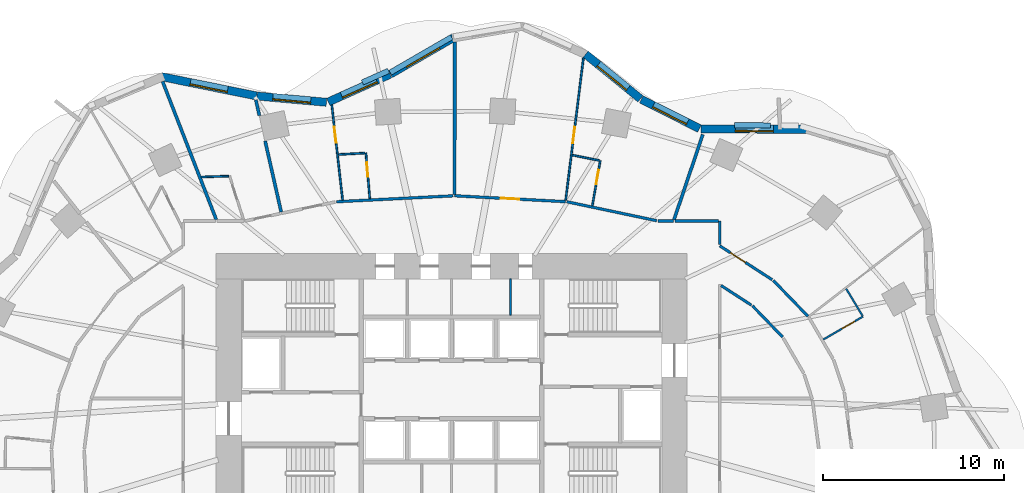
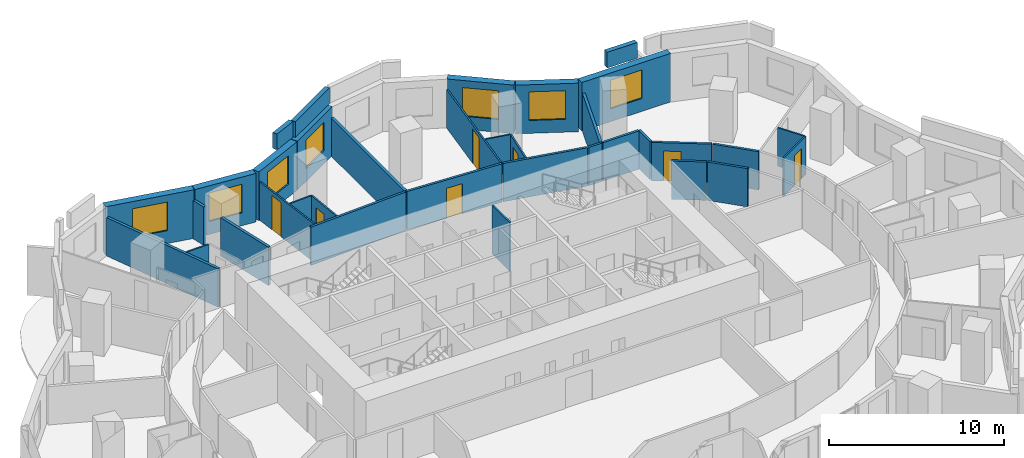
# One storey, part 10 of 14: 35 walls, 7 doors, 7 windows, 14 openings.
"""IFC4 building model written with IfcOpenShell, lengths in metres."""

from ifc_helpers import new_model, si_unit, direction, frame, frame_2d, origin, place, context, subcontext, project, spatial, rectangle, extrude, material, layer, layer_set, type_object, element, fill, save


model = new_model("IFC4")

# Units and contexts
model_context = context("Model", 3, precision=1e-05, world=origin(), true_north=direction((0.0, 1.0)))
body_context = subcontext(model_context, "Body", "Model", "MODEL_VIEW")
ifc_project = project(units=[si_unit("LENGTHUNIT", "METRE"), si_unit("AREAUNIT", "SQUARE_METRE"), si_unit("VOLUMEUNIT", "CUBIC_METRE"), si_unit("PLANEANGLEUNIT", "RADIAN"), si_unit("MASSUNIT", "GRAM", prefix="KILO")], contexts=[model_context])

# Site, building, storey
site_placement = place(None, origin())
site = spatial("IfcSite", under=ifc_project, at=site_placement, CompositionType="ELEMENT")
building_placement = place(site_placement, origin())
building = spatial("IfcBuilding", under=site, at=building_placement, Name="Rubra Terraces Tower", CompositionType="ELEMENT")
storey_placement = place(building_placement, frame((0.0, 0.0, 44.699951171875)))
storey = spatial("IfcBuildingStorey", under=building, at=storey_placement, Name="L08", CompositionType="ELEMENT", Elevation=44.699951171875)

# Walls
ifc_material_1 = material(Name="Twin plasterboard on staggered steel stud, acoustic mineral wool", Category="steel")
ifc_layer_1 = layer(ifc_material_1, 0.175048828125)
ifc_layer_set_1 = layer_set([ifc_layer_1], Name="Twin plasterboard on staggered steel stud, acoustic mineral wool")
wall_type_1 = type_object("IfcWallType", Name="ACOUSTIC PARTY WALL 175", PredefinedType="PARTITIONING", material=ifc_layer_set_1)
wall_1_placement = place(storey_placement, frame((13.86279296875, 18.57177734375, 0.0), z_axis=(0.0, 0.0, 1.0), x_axis=(-0.320254541028, -0.947331530643, 0.0)))
element("IfcWall", 1, at=wall_1_placement, inside=storey, type_object=wall_type_1, Name="PARTITION", PredefinedType="PARTITIONING", context=body_context, shape_type="SweptSolid", body=[
    extrude(rectangle(XDim=4.9619140625, YDim=0.175048828125, at=frame_2d((2.48095703125, 0.0))), origin(), (0.0, 0.0, 1.0), 2.679931640625),
])
wall_2_placement = place(storey_placement, frame((0.17919921875, 23.686767578125, 0.0), z_axis=(0.0, 0.0, 1.0), x_axis=(-0.001768574544, -0.999998436071, 0.0)))
element("IfcWall", 2, at=wall_2_placement, inside=storey, type_object=wall_type_1, Name="PARTITION", PredefinedType="PARTITIONING", context=body_context, shape_type="SweptSolid", body=[
    extrude(rectangle(XDim=8.420654296875, YDim=0.175048828125, at=frame_2d((4.21044921875, 0.0))), origin(), (0.0, 0.0, 1.0), 2.679931640625),
])
wall_3_placement = place(storey_placement, frame((-10.80029296875, 20.47900390625, 0.0), z_axis=(0.0, 0.0, 1.0), x_axis=(0.220786026072, -0.975322270171, 0.0)))
element("IfcWall", 3, at=wall_3_placement, inside=storey, type_object=wall_type_1, Name="PARTITION", PredefinedType="PARTITIONING", context=body_context, shape_type="SweptSolid", body=[
    extrude(rectangle(XDim=0.884521484375, YDim=0.175048828125, at=frame_2d((0.4423828125, 0.0))), origin(), (0.0, 0.0, 1.0), 2.679931640625),
])
wall_4_placement = place(storey_placement, frame((-10.28759765625, 18.21142578125, 0.0), z_axis=(0.0, 0.0, 1.0), x_axis=(0.220522195693, -0.975381956572, 0.0)))
element("IfcWall", 4, at=wall_4_placement, inside=storey, type_object=wall_type_1, Name="PARTITION", PredefinedType="PARTITIONING", context=body_context, shape_type="SweptSolid", body=[
    extrude(rectangle(XDim=4.014404296875, YDim=0.175048828125, at=frame_2d((2.00732421875, 0.0))), origin(), (0.0, 0.0, 1.0), 2.679931640625),
])
wall_5_placement = place(storey_placement, frame((-15.948486328125, 21.502197265625, 0.0), z_axis=(0.0, 0.0, 1.0), x_axis=(0.362227551465, -0.932089695769, 0.0)))
element("IfcWall", 5, at=wall_5_placement, inside=storey, type_object=wall_type_1, Name="PARTITION", PredefinedType="PARTITIONING", context=body_context, shape_type="SweptSolid", body=[
    extrude(rectangle(XDim=8.1884765625, YDim=0.175048828125, at=frame_2d((4.09423828125, 0.0))), origin(), (0.0, 0.0, 1.0), 2.679931640625),
])

# Wall, opening, window
ifc_material_2 = material(Name="Brick masonry red-brown", Category="masonry")
ifc_layer_2 = layer(ifc_material_2, 0.449951171875)
ifc_layer_set_2 = layer_set([ifc_layer_2], Name="Brick masonry red-brown")
wall_type_2 = type_object("IfcWallType", Name="Brick facade wall 450", PredefinedType="SOLIDWALL", material=ifc_layer_set_2)
wall_6_placement = place(storey_placement, frame((19.650390625, 18.85693359375, 0.0), z_axis=(0.0, 0.0, 1.0), x_axis=(-0.999994750773, 0.003240127552, 0.0)))
wall_6 = element("IfcWall", 6, at=wall_6_placement, inside=storey, type_object=wall_type_2, Name="Facade wall L08 bay 6", PredefinedType="SOLIDWALL", context=body_context, shape_type="SweptSolid", body=[
    extrude(rectangle(XDim=5.877197265625, YDim=0.449951171875, at=frame_2d((2.9384765625, 0.0))), origin(), (0.0, 0.0, 1.0), 3.400146484375),
])
opening_1_placement = place(wall_6_placement, frame((1.888671875, 0.0, 0.89990234375)))
opening_1 = element("IfcOpeningElement", 7, at=opening_1_placement, cuts=wall_6, Name="Opening W1", PredefinedType="OPENING", context=body_context, shape_type="SweptSolid", body=[
    extrude(rectangle(XDim=2.10009765625, YDim=2.0, at=frame_2d((1.050048828125, 1.0))), frame((0.0, 0.23486328125, 0.0), z_axis=(0.0, -1.0, 0.0), x_axis=(1.0, 0.0, 0.0)), (0.0, 0.0, 1.0), 0.469970703125),
])
ifc_material_3 = material(Name="Clear glass in aluminium frame", Category="aluminium")
window_type = type_object("IfcWindowType", Name="Fixed deep-set window 2100 x 2000", PartitioningType="SINGLE_PANEL", PredefinedType="WINDOW", material=ifc_material_3)
window_1_placement = place(opening_1_placement, origin())
window_1 = element("IfcWindow", 8, at=window_1_placement, inside=storey, type_object=window_type, Name="Window L08 bay 6", OverallHeight=2.0, OverallWidth=2.10009765625, PartitioningType="SINGLE_PANEL", PredefinedType="WINDOW", context=body_context, shape_type="SweptSolid", body=[
    extrude(rectangle(XDim=2.10009765625, YDim=2.0, at=frame_2d((1.050048828125, 1.0))), frame((0.0, 0.135009765625, 0.0), z_axis=(0.0, -1.0, 0.0), x_axis=(1.0, 0.0, 0.0)), (0.0, 0.0, 1.0), 0.06005859375),
])
fill(opening_1, window_1)

wall_7_placement = place(storey_placement, frame((13.6787109375, 18.897216796875, 0.0), z_axis=(0.0, 0.0, 1.0), x_axis=(-0.893502471356, 0.449058274259, 0.0)))
wall_7 = element("IfcWall", 9, at=wall_7_placement, inside=storey, type_object=wall_type_2, Name="Facade wall L08 bay 7", PredefinedType="SOLIDWALL", context=body_context, shape_type="SweptSolid", body=[
    extrude(rectangle(XDim=3.59814453125, YDim=0.449951171875, at=frame_2d((1.799072265625, 0.0))), origin(), (0.0, 0.0, 1.0), 3.400146484375),
])
opening_2_placement = place(wall_7_placement, frame((0.748779296875, 0.0, 0.89990234375)))
opening_2 = element("IfcOpeningElement", 10, at=opening_2_placement, cuts=wall_7, Name="Opening W1", PredefinedType="OPENING", context=body_context, shape_type="SweptSolid", body=[
    extrude(rectangle(XDim=2.10009765625, YDim=2.0, at=frame_2d((1.050048828125, 1.0))), frame((0.0, 0.23486328125, 0.0), z_axis=(0.0, -1.0, 0.0), x_axis=(1.0, 0.0, 0.0)), (0.0, 0.0, 1.0), 0.469970703125),
])
window_2_placement = place(opening_2_placement, origin())
window_2 = element("IfcWindow", 11, at=window_2_placement, inside=storey, type_object=window_type, Name="Window L08 bay 7", OverallHeight=2.0, OverallWidth=2.10009765625, PartitioningType="SINGLE_PANEL", PredefinedType="WINDOW", context=body_context, shape_type="SweptSolid", body=[
    extrude(rectangle(XDim=2.10009765625, YDim=2.0, at=frame_2d((1.050048828125, 1.0))), frame((0.0, 0.135009765625, 0.0), z_axis=(0.0, -1.0, 0.0), x_axis=(1.0, 0.0, 0.0)), (0.0, 0.0, 1.0), 0.06005859375),
])
fill(opening_2, window_2)

wall_8_placement = place(storey_placement, frame((10.421875, 20.53857421875, 0.0), z_axis=(0.0, 0.0, 1.0), x_axis=(-0.775999170522, 0.63073392754, 0.0)))
wall_8 = element("IfcWall", 12, at=wall_8_placement, inside=storey, type_object=wall_type_2, Name="Facade wall L08 bay 8", PredefinedType="SOLIDWALL", context=body_context, shape_type="SweptSolid", body=[
    extrude(rectangle(XDim=3.902587890625, YDim=0.449951171875, at=frame_2d((1.951171875, 0.0))), origin(), (0.0, 0.0, 1.0), 3.400146484375),
])
opening_3_placement = place(wall_8_placement, frame((0.901123046875, 0.0, 0.89990234375)))
opening_3 = element("IfcOpeningElement", 13, at=opening_3_placement, cuts=wall_8, Name="Opening W1", PredefinedType="OPENING", context=body_context, shape_type="SweptSolid", body=[
    extrude(rectangle(XDim=2.10009765625, YDim=2.0, at=frame_2d((1.050048828125, 1.0))), frame((0.0, 0.23486328125, 0.0), z_axis=(0.0, -1.0, 0.0), x_axis=(1.0, 0.0, 0.0)), (0.0, 0.0, 1.0), 0.469970703125),
])
window_3_placement = place(opening_3_placement, origin())
window_3 = element("IfcWindow", 14, at=window_3_placement, inside=storey, type_object=window_type, Name="Window L08 bay 8", OverallHeight=2.0, OverallWidth=2.10009765625, PartitioningType="SINGLE_PANEL", PredefinedType="WINDOW", context=body_context, shape_type="SweptSolid", body=[
    extrude(rectangle(XDim=2.10009765625, YDim=2.0, at=frame_2d((1.050048828125, 1.0))), frame((0.0, 0.135009765625, 0.0), z_axis=(0.0, -1.0, 0.0), x_axis=(1.0, 0.0, 0.0)), (0.0, 0.0, 1.0), 0.06005859375),
])
fill(opening_3, window_3)

wall_9_placement = place(storey_placement, frame((0.109375, 23.92041015625, 0.0), z_axis=(0.0, 0.0, 1.0), x_axis=(-0.865557769603, -0.500809092848, 0.0)))
wall_9 = element("IfcWall", 15, at=wall_9_placement, inside=storey, type_object=wall_type_2, Name="Facade wall L08 bay 11", PredefinedType="SOLIDWALL", context=body_context, shape_type="SweptSolid", body=[
    extrude(rectangle(XDim=4.024658203125, YDim=0.449951171875, at=frame_2d((2.01220703125, 0.0))), origin(), (0.0, 0.0, 1.0), 3.400146484375),
])
opening_4_placement = place(wall_9_placement, frame((0.96240234375, 0.0, 0.89990234375)))
opening_4 = element("IfcOpeningElement", 16, at=opening_4_placement, cuts=wall_9, Name="Opening W1", PredefinedType="OPENING", context=body_context, shape_type="SweptSolid", body=[
    extrude(rectangle(XDim=2.10009765625, YDim=2.0, at=frame_2d((1.050048828125, 1.0))), frame((0.0, 0.23486328125, 0.0), z_axis=(0.0, -1.0, 0.0), x_axis=(1.0, 0.0, 0.0)), (0.0, 0.0, 1.0), 0.469970703125),
])
window_4_placement = place(opening_4_placement, origin())
window_4 = element("IfcWindow", 17, at=window_4_placement, inside=storey, type_object=window_type, Name="Window L08 bay 11", OverallHeight=2.0, OverallWidth=2.10009765625, PartitioningType="SINGLE_PANEL", PredefinedType="WINDOW", context=body_context, shape_type="SweptSolid", body=[
    extrude(rectangle(XDim=2.10009765625, YDim=2.0, at=frame_2d((1.050048828125, 1.0))), frame((0.0, 0.135009765625, 0.0), z_axis=(0.0, -1.0, 0.0), x_axis=(1.0, 0.0, 0.0)), (0.0, 0.0, 1.0), 0.06005859375),
])
fill(opening_4, window_4)

wall_10_placement = place(storey_placement, frame((-3.395263671875, 21.894287109375, 0.0), z_axis=(0.0, 0.0, 1.0), x_axis=(-0.912496703183, -0.409084058208, 0.0)))
wall_10 = element("IfcWall", 18, at=wall_10_placement, inside=storey, type_object=wall_type_2, Name="Facade wall L08 bay 12", PredefinedType="SOLIDWALL", context=body_context, shape_type="SweptSolid", body=[
    extrude(rectangle(XDim=3.73486328125, YDim=0.449951171875, at=frame_2d((1.867431640625, 0.0))), origin(), (0.0, 0.0, 1.0), 3.400146484375),
])
opening_5_placement = place(wall_10_placement, frame((0.8173828125, 0.0, 0.89990234375)))
opening_5 = element("IfcOpeningElement", 19, at=opening_5_placement, cuts=wall_10, Name="Opening W1", PredefinedType="OPENING", context=body_context, shape_type="SweptSolid", body=[
    extrude(rectangle(XDim=2.10009765625, YDim=2.0, at=frame_2d((1.050048828125, 1.0))), frame((0.0, 0.23486328125, 0.0), z_axis=(0.0, -1.0, 0.0), x_axis=(1.0, 0.0, 0.0)), (0.0, 0.0, 1.0), 0.469970703125),
])
window_5_placement = place(opening_5_placement, origin())
window_5 = element("IfcWindow", 20, at=window_5_placement, inside=storey, type_object=window_type, Name="Window L08 bay 12", OverallHeight=2.0, OverallWidth=2.10009765625, PartitioningType="SINGLE_PANEL", PredefinedType="WINDOW", context=body_context, shape_type="SweptSolid", body=[
    extrude(rectangle(XDim=2.10009765625, YDim=2.0, at=frame_2d((1.050048828125, 1.0))), frame((0.0, 0.135009765625, 0.0), z_axis=(0.0, -1.0, 0.0), x_axis=(1.0, 0.0, 0.0)), (0.0, 0.0, 1.0), 0.06005859375),
])
fill(opening_5, window_5)

wall_11_placement = place(storey_placement, frame((-6.905517578125, 20.348876953125, 0.0), z_axis=(0.0, 0.0, 1.0), x_axis=(-0.995947174038, 0.089940127451, 0.0)))
wall_11 = element("IfcWall", 21, at=wall_11_placement, inside=storey, type_object=wall_type_2, Name="Facade wall L08 bay 13", PredefinedType="SOLIDWALL", context=body_context, shape_type="SweptSolid", body=[
    extrude(rectangle(XDim=3.84375, YDim=0.449951171875, at=frame_2d((1.921875, 0.0))), origin(), (0.0, 0.0, 1.0), 3.400146484375),
])
opening_6_placement = place(wall_11_placement, frame((0.871826171875, 0.0, 0.89990234375)))
opening_6 = element("IfcOpeningElement", 22, at=opening_6_placement, cuts=wall_11, Name="Opening W1", PredefinedType="OPENING", context=body_context, shape_type="SweptSolid", body=[
    extrude(rectangle(XDim=2.10009765625, YDim=2.0, at=frame_2d((1.050048828125, 1.0))), frame((0.0, 0.23486328125, 0.0), z_axis=(0.0, -1.0, 0.0), x_axis=(1.0, 0.0, 0.0)), (0.0, 0.0, 1.0), 0.469970703125),
])
window_6_placement = place(opening_6_placement, origin())
window_6 = element("IfcWindow", 23, at=window_6_placement, inside=storey, type_object=window_type, Name="Window L08 bay 13", OverallHeight=2.0, OverallWidth=2.10009765625, PartitioningType="SINGLE_PANEL", PredefinedType="WINDOW", context=body_context, shape_type="SweptSolid", body=[
    extrude(rectangle(XDim=2.10009765625, YDim=2.0, at=frame_2d((1.050048828125, 1.0))), frame((0.0, 0.135009765625, 0.0), z_axis=(0.0, -1.0, 0.0), x_axis=(1.0, 0.0, 0.0)), (0.0, 0.0, 1.0), 0.06005859375),
])
fill(opening_6, window_6)

wall_12_placement = place(storey_placement, frame((-10.760009765625, 20.697998046875, 0.0), z_axis=(0.0, 0.0, 1.0), x_axis=(-0.980072890434, 0.198638187256, 0.0)))
wall_12 = element("IfcWall", 24, at=wall_12_placement, inside=storey, type_object=wall_type_2, Name="Facade wall L08 bay 14", PredefinedType="SOLIDWALL", context=body_context, shape_type="SweptSolid", body=[
    extrude(rectangle(XDim=5.35986328125, YDim=0.449951171875, at=frame_2d((2.679931640625, 0.0))), origin(), (0.0, 0.0, 1.0), 3.400146484375),
])
opening_7_placement = place(wall_12_placement, frame((1.630126953125, 0.0, 0.89990234375)))
opening_7 = element("IfcOpeningElement", 25, at=opening_7_placement, cuts=wall_12, Name="Opening W1", PredefinedType="OPENING", context=body_context, shape_type="SweptSolid", body=[
    extrude(rectangle(XDim=2.10009765625, YDim=2.0, at=frame_2d((1.050048828125, 1.0))), frame((0.0, 0.23486328125, 0.0), z_axis=(0.0, -1.0, 0.0), x_axis=(1.0, 0.0, 0.0)), (0.0, 0.0, 1.0), 0.469970703125),
])
window_7_placement = place(opening_7_placement, origin())
window_7 = element("IfcWindow", 26, at=window_7_placement, inside=storey, type_object=window_type, Name="Window L08 bay 14", OverallHeight=2.0, OverallWidth=2.10009765625, PartitioningType="SINGLE_PANEL", PredefinedType="WINDOW", context=body_context, shape_type="SweptSolid", body=[
    extrude(rectangle(XDim=2.10009765625, YDim=2.0, at=frame_2d((1.050048828125, 1.0))), frame((0.0, 0.135009765625, 0.0), z_axis=(0.0, -1.0, 0.0), x_axis=(1.0, 0.0, 0.0)), (0.0, 0.0, 1.0), 0.06005859375),
])
fill(opening_7, window_7)

# Walls
ifc_layer_3 = layer(ifc_material_2, 0.300048828125)
ifc_layer_set_3 = layer_set([ifc_layer_3], Name="Brick masonry red-brown")
wall_type_3 = type_object("IfcWallType", Name="Brick parapet 300", PredefinedType="PARAPET", material=ifc_layer_set_3)
wall_13_placement = place(storey_placement, frame((17.596435546875, 19.069091796875, 3.60009765625), z_axis=(0.0, 0.0, 1.0), x_axis=(-0.999994488127, 0.003320198128, 0.0)))
element("IfcWall", 27, at=wall_13_placement, inside=storey, type_object=wall_type_3, Name="Parapet L08 bay 6.2", PredefinedType="PARAPET", context=body_context, shape_type="SweptSolid", body=[
    extrude(rectangle(XDim=1.9853515625, YDim=0.300048828125, at=frame_2d((0.99267578125, 0.0))), origin(), (0.0, 0.0, 1.0), 1.099853515625),
])
wall_14_placement = place(storey_placement, frame((0.002197265625, 23.945068359375, 3.60009765625), z_axis=(0.0, 0.0, 1.0), x_axis=(-0.865550152763, -0.500822256945, 0.0)))
element("IfcWall", 28, at=wall_14_placement, inside=storey, type_object=wall_type_3, Name="Parapet L08 bay 11", PredefinedType="PARAPET", context=body_context, shape_type="SweptSolid", body=[
    extrude(rectangle(XDim=3.91259765625, YDim=0.300048828125, at=frame_2d((1.956298828125, 0.0))), origin(), (0.0, 0.0, 1.0), 1.099853515625),
])
wall_15_placement = place(storey_placement, frame((-3.4775390625, 22.0869140625, 3.60009765625), z_axis=(0.0, 0.0, 1.0), x_axis=(-0.91246752391, -0.409149138835, 0.0)))
element("IfcWall", 29, at=wall_15_placement, inside=storey, type_object=wall_type_3, Name="Parapet L08 bay 12", PredefinedType="PARAPET", context=body_context, shape_type="SweptSolid", body=[
    extrude(rectangle(XDim=1.578857421875, YDim=0.300048828125, at=frame_2d((0.78955078125, 0.0))), origin(), (0.0, 0.0, 1.0), 1.099853515625),
])
ifc_material_4 = material(Name="Plasterboard on steel stud, mineral wool infill", Category="steel")
ifc_layer_4 = layer(ifc_material_4, 0.14990234375)
ifc_layer_set_4 = layer_set([ifc_layer_4], Name="Plasterboard on steel stud, mineral wool infill")
wall_type_4 = type_object("IfcWallType", Name="CORRIDOR PARTITION 150", PredefinedType="PARTITIONING", material=ifc_layer_set_4)
wall_16_placement = place(storey_placement, frame((12.24951171875, 13.800048828125, 0.0), z_axis=(0.0, 0.0, 1.0), x_axis=(-1.0, 0.0, 0.0)))
element("IfcWall", 30, at=wall_16_placement, inside=storey, type_object=wall_type_4, Name="PARTITION", PredefinedType="PARTITIONING", context=body_context, shape_type="SweptSolid", body=[
    extrude(rectangle(XDim=0.860107421875, YDim=0.14990234375, at=frame_2d((0.43017578125, 0.0))), origin(), (0.0, 0.0, 1.0), 2.679931640625),
])
wall_17_placement = place(storey_placement, frame((11.31591796875, 13.8154296875, 0.0), z_axis=(0.0, 0.0, 1.0), x_axis=(-0.978460774853, 0.206432827025, 0.0)))
element("IfcWall", 31, at=wall_17_placement, inside=storey, type_object=wall_type_4, Name="PARTITION", PredefinedType="PARTITIONING", context=body_context, shape_type="SweptSolid", body=[
    extrude(rectangle(XDim=5.06884765625, YDim=0.14990234375, at=frame_2d((2.534423828125, 0.0))), origin(), (0.0, 0.0, 1.0), 2.679931640625),
])

# Wall, opening, door
wall_18_placement = place(storey_placement, frame((6.281494140625, 14.86572265625, 0.0), z_axis=(0.0, 0.0, 1.0), x_axis=(-0.998587832803, 0.053125701673, 0.0)))
wall_18 = element("IfcWall", 32, at=wall_18_placement, inside=storey, type_object=wall_type_4, Name="PARTITION", PredefinedType="PARTITIONING", context=body_context, shape_type="SweptSolid", body=[
    extrude(rectangle(XDim=6.125732421875, YDim=0.14990234375, at=frame_2d((3.06298828125, 0.0))), origin(), (0.0, 0.0, 1.0), 2.679931640625),
])
opening_8_placement = place(wall_18_placement, frame((2.56103515625, 0.0, 0.0)))
opening_8 = element("IfcOpeningElement", 33, at=opening_8_placement, cuts=wall_18, Name="Opening 08-103", PredefinedType="OPENING", context=body_context, shape_type="SweptSolid", body=[
    extrude(rectangle(XDim=1.0, YDim=2.10009765625, at=frame_2d((0.5, 1.050048828125))), frame((0.0, 0.0849609375, 0.0), z_axis=(0.0, -1.0, 0.0), x_axis=(1.0, 0.0, 0.0)), (0.0, 0.0, 1.0), 0.169921875),
])
ifc_material_5 = material(Name="Painted timber door leaf", Category="wood")
door_type_1 = type_object("IfcDoorType", Name="ROOM DOOR 1000 X 2100", OperationType="SINGLE_SWING_LEFT", PredefinedType="DOOR", material=ifc_material_5)
door_1_placement = place(opening_8_placement, origin())
door_1 = element("IfcDoor", 34, at=door_1_placement, inside=storey, type_object=door_type_1, Name="DOOR 08-103", OperationType="SINGLE_SWING_RIGHT", OverallHeight=2.10009765625, OverallWidth=1.0, PredefinedType="DOOR", context=body_context, shape_type="SweptSolid", body=[
    extrude(rectangle(XDim=1.0, YDim=2.10009765625, at=frame_2d((0.5, 1.050048828125))), frame((0.0, 0.02490234375, 0.0), z_axis=(0.0, -1.0, 0.0), x_axis=(1.0, 0.0, 0.0)), (0.0, 0.0, 1.0), 0.050048828125),
])
fill(opening_8, door_1)

# Walls
wall_19_placement = place(storey_placement, frame((0.08935546875, 15.1875, 0.0), z_axis=(0.0, 0.0, 1.0), x_axis=(-0.998725880164, -0.050464009853, 0.0)))
element("IfcWall", 35, at=wall_19_placement, inside=storey, type_object=wall_type_4, Name="PARTITION", PredefinedType="PARTITIONING", context=body_context, shape_type="SweptSolid", body=[
    extrude(rectangle(XDim=6.453857421875, YDim=0.14990234375, at=frame_2d((3.22705078125, 0.0))), origin(), (0.0, 0.0, 1.0), 2.679931640625),
])
wall_20_placement = place(storey_placement, frame((19.662841796875, 8.5419921875, 0.0), z_axis=(0.0, 0.0, 1.0), x_axis=(-0.695225869021, 0.718791340407, 0.0)))
element("IfcWall", 36, at=wall_20_placement, inside=storey, type_object=wall_type_4, Name="PARTITION", PredefinedType="PARTITIONING", context=body_context, shape_type="SweptSolid", body=[
    extrude(rectangle(XDim=2.745361328125, YDim=0.14990234375, at=frame_2d((1.37255859375, 0.0))), origin(), (0.0, 0.0, 1.0), 2.679931640625),
])

# Wall, opening, door
wall_21_placement = place(storey_placement, frame((17.691162109375, 10.55615234375, 0.0), z_axis=(0.0, 0.0, 1.0), x_axis=(-0.839564450265, 0.54326009779, 0.0)))
wall_21 = element("IfcWall", 37, at=wall_21_placement, inside=storey, type_object=wall_type_4, Name="PARTITION", PredefinedType="PARTITIONING", context=body_context, shape_type="SweptSolid", body=[
    extrude(rectangle(XDim=3.443359375, YDim=0.14990234375, at=frame_2d((1.7216796875, 0.0))), origin(), (0.0, 0.0, 1.0), 2.679931640625),
])
opening_9_placement = place(wall_21_placement, frame((1.7548828125, 0.0, 0.0)))
opening_9 = element("IfcOpeningElement", 38, at=opening_9_placement, cuts=wall_21, Name="Opening 08-133", PredefinedType="OPENING", context=body_context, shape_type="SweptSolid", body=[
    extrude(rectangle(XDim=1.0, YDim=2.10009765625, at=frame_2d((0.5, 1.050048828125))), frame((0.0, 0.0849609375, 0.0), z_axis=(0.0, -1.0, 0.0), x_axis=(1.0, 0.0, 0.0)), (0.0, 0.0, 1.0), 0.169921875),
])
door_2_placement = place(opening_9_placement, origin())
door_2 = element("IfcDoor", 39, at=door_2_placement, inside=storey, type_object=door_type_1, Name="DOOR 08-133", OperationType="SINGLE_SWING_RIGHT", OverallHeight=2.10009765625, OverallWidth=1.0, PredefinedType="DOOR", context=body_context, shape_type="SweptSolid", body=[
    extrude(rectangle(XDim=1.0, YDim=2.10009765625, at=frame_2d((0.5, 1.050048828125))), frame((0.0, 0.02490234375, 0.0), z_axis=(0.0, -1.0, 0.0), x_axis=(1.0, 0.0, 0.0)), (0.0, 0.0, 1.0), 0.050048828125),
])
fill(opening_9, door_2)

# Walls
wall_22_placement = place(storey_placement, frame((14.80029296875, 12.501708984375, 0.0), z_axis=(0.0, 0.0, 1.0), x_axis=(-0.000188040613, 0.99999998232, 0.0)))
element("IfcWall", 40, at=wall_22_placement, inside=storey, type_object=wall_type_4, Name="PARTITION", PredefinedType="PARTITIONING", context=body_context, shape_type="SweptSolid", body=[
    extrude(rectangle(XDim=1.29833984375, YDim=0.14990234375, at=frame_2d((0.649169921875, 0.0))), origin(), (0.0, 0.0, 1.0), 2.679931640625),
])
wall_23_placement = place(storey_placement, frame((14.72509765625, 13.800048828125, 0.0), z_axis=(0.0, 0.0, 1.0), x_axis=(-1.0, 0.0, 0.0)))
element("IfcWall", 41, at=wall_23_placement, inside=storey, type_object=wall_type_4, Name="PARTITION", PredefinedType="PARTITIONING", context=body_context, shape_type="SweptSolid", body=[
    extrude(rectangle(XDim=2.400390625, YDim=0.14990234375, at=frame_2d((1.2001953125, 0.0))), origin(), (0.0, 0.0, 1.0), 2.679931640625),
])
wall_24_placement = place(storey_placement, frame((16.603515625, 9.1162109375, 0.0), z_axis=(0.0, 0.0, 1.0), x_axis=(0.695185405932, -0.718830474716, 0.0)))
element("IfcWall", 42, at=wall_24_placement, inside=storey, type_object=wall_type_4, Name="PARTITION", PredefinedType="PARTITIONING", context=body_context, shape_type="SweptSolid", body=[
    extrude(rectangle(XDim=2.3955078125, YDim=0.14990234375, at=frame_2d((1.19775390625, 0.0))), origin(), (0.0, 0.0, 1.0), 2.679931640625),
])
wall_25_placement = place(storey_placement, frame((14.863037109375, 10.242431640625, 0.0), z_axis=(0.0, 0.0, 1.0), x_axis=(0.839530811724, -0.543312079901, 0.0)))
element("IfcWall", 43, at=wall_25_placement, inside=storey, type_object=wall_type_4, Name="PARTITION", PredefinedType="PARTITIONING", context=body_context, shape_type="SweptSolid", body=[
    extrude(rectangle(XDim=1.997802734375, YDim=0.14990234375, at=frame_2d((0.9990234375, 0.0))), origin(), (0.0, 0.0, 1.0), 2.679931640625),
])

# Wall, opening, door
ifc_material_6 = material(Name="Plasterboard on steel stud", Category="steel")
ifc_layer_5 = layer(ifc_material_6, 0.10009765625)
ifc_layer_set_5 = layer_set([ifc_layer_5], Name="Plasterboard on steel stud")
wall_type_5 = type_object("IfcWallType", Name="ROOM PARTITION 100", PredefinedType="PARTITIONING", material=ifc_layer_set_5)
wall_26_placement = place(storey_placement, frame((7.27490234375, 22.794921875, 0.0), z_axis=(0.0, 0.0, 1.0), x_axis=(-0.123890489741, -0.992295896672, 0.0)))
wall_26 = element("IfcWall", 44, at=wall_26_placement, inside=storey, type_object=wall_type_5, Name="PARTITION", PredefinedType="PARTITIONING", context=body_context, shape_type="SweptSolid", body=[
    extrude(rectangle(XDim=7.916015625, YDim=0.10009765625, at=frame_2d((3.9580078125, 0.0))), origin(), (0.0, 0.0, 1.0), 2.679931640625),
])
opening_10_placement = place(wall_26_placement, frame((3.841064453125, 0.0, 0.0)))
opening_10 = element("IfcOpeningElement", 45, at=opening_10_placement, cuts=wall_26, Name="Opening 08-102", PredefinedType="OPENING", context=body_context, shape_type="SweptSolid", body=[
    extrude(rectangle(XDim=0.89990234375, YDim=2.39990234375, at=frame_2d((0.449951171875, 1.199951171875))), frame((0.0, 0.06005859375, 0.0), z_axis=(0.0, -1.0, 0.0), x_axis=(1.0, 0.0, 0.0)), (0.0, 0.0, 1.0), 0.1201171875),
])
ifc_material_7 = material(Name="Veneered timber door leaf, fire-rated", Category="wood")
door_type_2 = type_object("IfcDoorType", Name="SUITE ENTRANCE DOOR 900 X 2400", OperationType="SINGLE_SWING_LEFT", PredefinedType="DOOR", material=ifc_material_7)
door_3_placement = place(opening_10_placement, origin())
door_3 = element("IfcDoor", 46, at=door_3_placement, inside=storey, type_object=door_type_2, Name="DOOR 08-102", OperationType="SINGLE_SWING_LEFT", OverallHeight=2.39990234375, OverallWidth=0.89990234375, PredefinedType="DOOR", context=body_context, shape_type="SweptSolid", body=[
    extrude(rectangle(XDim=0.89990234375, YDim=2.39990234375, at=frame_2d((0.449951171875, 1.199951171875))), frame((0.0, 0.02490234375, 0.0), z_axis=(0.0, -1.0, 0.0), x_axis=(1.0, 0.0, 0.0)), (0.0, 0.0, 1.0), 0.050048828125),
])
fill(opening_10, door_3)

wall_27_placement = place(storey_placement, frame((7.76708984375, 14.640869140625, 0.0), z_axis=(0.0, 0.0, 1.0), x_axis=(0.172985442563, 0.984924381189, 0.0)))
wall_27 = element("IfcWall", 47, at=wall_27_placement, inside=storey, type_object=wall_type_5, Name="PARTITION", PredefinedType="PARTITIONING", context=body_context, shape_type="SweptSolid", body=[
    extrude(rectangle(XDim=2.52490234375, YDim=0.10009765625, at=frame_2d((1.262451171875, 0.0))), origin(), (0.0, 0.0, 1.0), 2.679931640625),
])
opening_11_placement = place(wall_27_placement, frame((1.199951171875, 0.0, 0.0)))
opening_11 = element("IfcOpeningElement", 48, at=opening_11_placement, cuts=wall_27, Name="Opening 08-101", PredefinedType="OPENING", context=body_context, shape_type="SweptSolid", body=[
    extrude(rectangle(XDim=0.800048828125, YDim=2.10009765625, at=frame_2d((0.39990234375, 1.050048828125))), frame((0.0, 0.06005859375, 0.0), z_axis=(0.0, -1.0, 0.0), x_axis=(1.0, 0.0, 0.0)), (0.0, 0.0, 1.0), 0.1201171875),
])
door_type_3 = type_object("IfcDoorType", Name="BATHROOM DOOR 800 X 2100", OperationType="SINGLE_SWING_LEFT", PredefinedType="DOOR", material=ifc_material_5)
door_4_placement = place(opening_11_placement, origin())
door_4 = element("IfcDoor", 49, at=door_4_placement, inside=storey, type_object=door_type_3, Name="DOOR 08-101", OperationType="SINGLE_SWING_LEFT", OverallHeight=2.10009765625, OverallWidth=0.800048828125, PredefinedType="DOOR", context=body_context, shape_type="SweptSolid", body=[
    extrude(rectangle(XDim=0.800048828125, YDim=2.10009765625, at=frame_2d((0.39990234375, 1.050048828125))), frame((0.0, 0.02490234375, 0.0), z_axis=(0.0, -1.0, 0.0), x_axis=(1.0, 0.0, 0.0)), (0.0, 0.0, 1.0), 0.050048828125),
])
fill(opening_11, door_4)

# Wall
wall_28_placement = place(storey_placement, frame((8.15478515625, 17.137451171875, 0.0), z_axis=(0.0, 0.0, 1.0), x_axis=(-0.980758463285, 0.195225092382, 0.0)))
element("IfcWall", 50, at=wall_28_placement, inside=storey, type_object=wall_type_5, Name="PARTITION", PredefinedType="PARTITIONING", context=body_context, shape_type="SweptSolid", body=[
    extrude(rectangle(XDim=1.528076171875, YDim=0.10009765625, at=frame_2d((0.76416015625, 0.0))), origin(), (0.0, 0.0, 1.0), 2.679931640625),
])

# Wall, opening, door
wall_29_placement = place(storey_placement, frame((-6.60986328125, 20.202392578125, 0.0), z_axis=(0.0, 0.0, 1.0), x_axis=(0.113028971682, -0.993591692578, 0.0)))
wall_29 = element("IfcWall", 51, at=wall_29_placement, inside=storey, type_object=wall_type_5, Name="PARTITION", PredefinedType="PARTITIONING", context=body_context, shape_type="SweptSolid", body=[
    extrude(rectangle(XDim=5.28125, YDim=0.10009765625, at=frame_2d((2.640625, 0.0))), origin(), (0.0, 0.0, 1.0), 2.679931640625),
])
opening_12_placement = place(wall_29_placement, frame((1.2060546875, 0.0, 0.0)))
opening_12 = element("IfcOpeningElement", 52, at=opening_12_placement, cuts=wall_29, Name="Opening 08-105", PredefinedType="OPENING", context=body_context, shape_type="SweptSolid", body=[
    extrude(rectangle(XDim=0.89990234375, YDim=2.39990234375, at=frame_2d((0.449951171875, 1.199951171875))), frame((0.0, 0.06005859375, 0.0), z_axis=(0.0, -1.0, 0.0), x_axis=(1.0, 0.0, 0.0)), (0.0, 0.0, 1.0), 0.1201171875),
])
door_5_placement = place(opening_12_placement, origin())
door_5 = element("IfcDoor", 53, at=door_5_placement, inside=storey, type_object=door_type_2, Name="DOOR 08-105", OperationType="SINGLE_SWING_LEFT", OverallHeight=2.39990234375, OverallWidth=0.89990234375, PredefinedType="DOOR", context=body_context, shape_type="SweptSolid", body=[
    extrude(rectangle(XDim=0.89990234375, YDim=2.39990234375, at=frame_2d((0.449951171875, 1.199951171875))), frame((0.0, 0.02490234375, 0.0), z_axis=(0.0, -1.0, 0.0), x_axis=(1.0, 0.0, 0.0)), (0.0, 0.0, 1.0), 0.050048828125),
])
fill(opening_12, door_5)

wall_30_placement = place(storey_placement, frame((-4.512939453125, 15.034912109375, 0.0), z_axis=(0.0, 0.0, 1.0), x_axis=(-0.085277735772, 0.996357218964, 0.0)))
wall_30 = element("IfcWall", 54, at=wall_30_placement, inside=storey, type_object=wall_type_5, Name="PARTITION", PredefinedType="PARTITIONING", context=body_context, shape_type="SweptSolid", body=[
    extrude(rectangle(XDim=2.525146484375, YDim=0.10009765625, at=frame_2d((1.2626953125, 0.0))), origin(), (0.0, 0.0, 1.0), 2.679931640625),
])
opening_13_placement = place(wall_30_placement, frame((1.199951171875, 0.0, 0.0)))
opening_13 = element("IfcOpeningElement", 55, at=opening_13_placement, cuts=wall_30, Name="Opening 08-104", PredefinedType="OPENING", context=body_context, shape_type="SweptSolid", body=[
    extrude(rectangle(XDim=0.800048828125, YDim=2.10009765625, at=frame_2d((0.39990234375, 1.050048828125))), frame((0.0, 0.06005859375, 0.0), z_axis=(0.0, -1.0, 0.0), x_axis=(1.0, 0.0, 0.0)), (0.0, 0.0, 1.0), 0.1201171875),
])
door_6_placement = place(opening_13_placement, origin())
door_6 = element("IfcDoor", 56, at=door_6_placement, inside=storey, type_object=door_type_3, Name="DOOR 08-104", OperationType="SINGLE_SWING_LEFT", OverallHeight=2.10009765625, OverallWidth=0.800048828125, PredefinedType="DOOR", context=body_context, shape_type="SweptSolid", body=[
    extrude(rectangle(XDim=0.800048828125, YDim=2.10009765625, at=frame_2d((0.39990234375, 1.050048828125))), frame((0.0, 0.02490234375, 0.0), z_axis=(0.0, -1.0, 0.0), x_axis=(1.0, 0.0, 0.0)), (0.0, 0.0, 1.0), 0.050048828125),
])
fill(opening_13, door_6)

# Walls
wall_31_placement = place(storey_placement, frame((-4.7783203125, 17.5478515625, 0.0), z_axis=(0.0, 0.0, 1.0), x_axis=(-0.998474099217, -0.055222035383, 0.0)))
element("IfcWall", 57, at=wall_31_placement, inside=storey, type_object=wall_type_5, Name="PARTITION", PredefinedType="PARTITIONING", context=body_context, shape_type="SweptSolid", body=[
    extrude(rectangle(XDim=1.47216796875, YDim=0.10009765625, at=frame_2d((0.736083984375, 0.0))), origin(), (0.0, 0.0, 1.0), 2.679931640625),
])
wall_32_placement = place(storey_placement, frame((-12.29638671875, 16.275146484375, 0.0), z_axis=(0.0, 0.0, 1.0), x_axis=(-0.999477950715, -0.032308296695, 0.0)))
element("IfcWall", 58, at=wall_32_placement, inside=storey, type_object=wall_type_5, Name="PARTITION", PredefinedType="PARTITIONING", context=body_context, shape_type="SweptSolid", body=[
    extrude(rectangle(XDim=1.5263671875, YDim=0.10009765625, at=frame_2d((0.76318359375, 0.0))), origin(), (0.0, 0.0, 1.0), 2.679931640625),
])

# Wall, opening, door
wall_33_placement = place(storey_placement, frame((20.514404296875, 7.261474609375, 0.0), z_axis=(0.0, 0.0, 1.0), x_axis=(0.865216596083, 0.501398286656, 0.0)))
wall_33 = element("IfcWall", 59, at=wall_33_placement, inside=storey, type_object=wall_type_5, Name="PARTITION", PredefinedType="PARTITIONING", context=body_context, shape_type="SweptSolid", body=[
    extrude(rectangle(XDim=2.525146484375, YDim=0.10009765625, at=frame_2d((1.2626953125, 0.0))), origin(), (0.0, 0.0, 1.0), 2.679931640625),
])
opening_14_placement = place(wall_33_placement, frame((1.199951171875, 0.0, 0.0)))
opening_14 = element("IfcOpeningElement", 60, at=opening_14_placement, cuts=wall_33, Name="Opening 08-131", PredefinedType="OPENING", context=body_context, shape_type="SweptSolid", body=[
    extrude(rectangle(XDim=0.800048828125, YDim=2.10009765625, at=frame_2d((0.39990234375, 1.050048828125))), frame((0.0, 0.06005859375, 0.0), z_axis=(0.0, -1.0, 0.0), x_axis=(1.0, 0.0, 0.0)), (0.0, 0.0, 1.0), 0.1201171875),
])
door_7_placement = place(opening_14_placement, origin())
door_7 = element("IfcDoor", 61, at=door_7_placement, inside=storey, type_object=door_type_3, Name="DOOR 08-131", OperationType="SINGLE_SWING_LEFT", OverallHeight=2.10009765625, OverallWidth=0.800048828125, PredefinedType="DOOR", context=body_context, shape_type="SweptSolid", body=[
    extrude(rectangle(XDim=0.800048828125, YDim=2.10009765625, at=frame_2d((0.39990234375, 1.050048828125))), frame((0.0, 0.02490234375, 0.0), z_axis=(0.0, -1.0, 0.0), x_axis=(1.0, 0.0, 0.0)), (0.0, 0.0, 1.0), 0.050048828125),
])
fill(opening_14, door_7)

# Walls
wall_34_placement = place(storey_placement, frame((22.67333984375, 8.5703125, 0.0), z_axis=(0.0, 0.0, 1.0), x_axis=(-0.516989335604, 0.855991838087, 0.0)))
element("IfcWall", 62, at=wall_34_placement, inside=storey, type_object=wall_type_5, Name="PARTITION", PredefinedType="PARTITIONING", context=body_context, shape_type="SweptSolid", body=[
    extrude(rectangle(XDim=1.74072265625, YDim=0.10009765625, at=frame_2d((0.870361328125, 0.0))), origin(), (0.0, 0.0, 1.0), 2.679931640625),
])
ifc_material_8 = material(Name="Blockwork", Category="masonry")
ifc_layer_6 = layer(ifc_material_8, 0.10009765625)
ifc_layer_set_6 = layer_set([ifc_layer_6], Name="Blockwork")
wall_type_6 = type_object("IfcWallType", Name="Service partition 100 blockwork", PredefinedType="PARTITIONING", material=ifc_layer_set_6)
wall_35_placement = place(storey_placement, frame((3.25, 8.60009765625, 0.0), z_axis=(0.0, 0.0, 1.0), x_axis=(0.0, 1.0, 0.0)))
element("IfcWall", 63, at=wall_35_placement, inside=storey, type_object=wall_type_6, Name="SERVICE ROOM PARTITION L08", PredefinedType="PARTITIONING", context=body_context, shape_type="SweptSolid", body=[
    extrude(rectangle(XDim=2.0, YDim=0.10009765625, at=frame_2d((1.0, 0.0))), origin(), (0.0, 0.0, 1.0), 3.400146484375),
])

save(model, "model.ifc")
